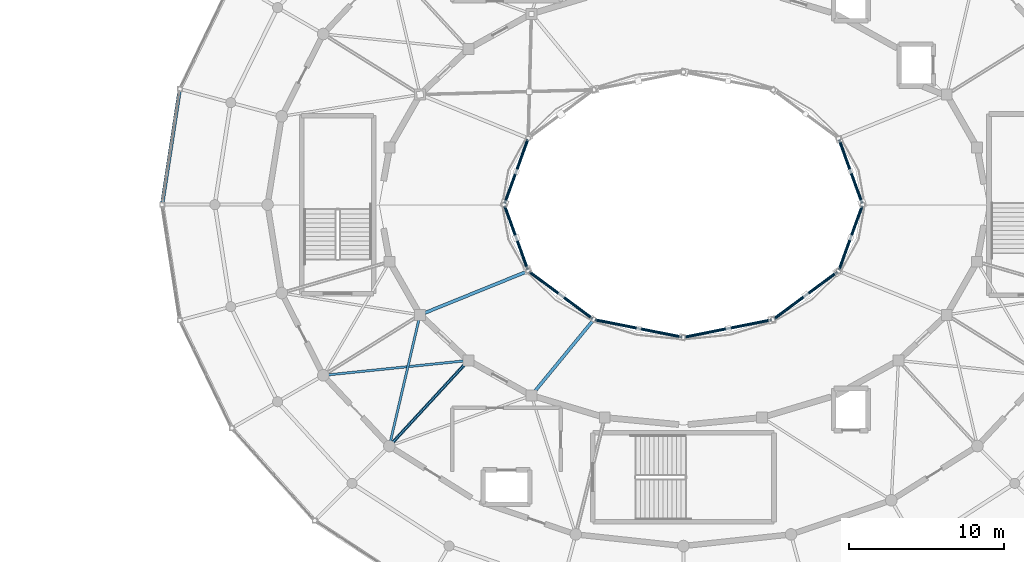
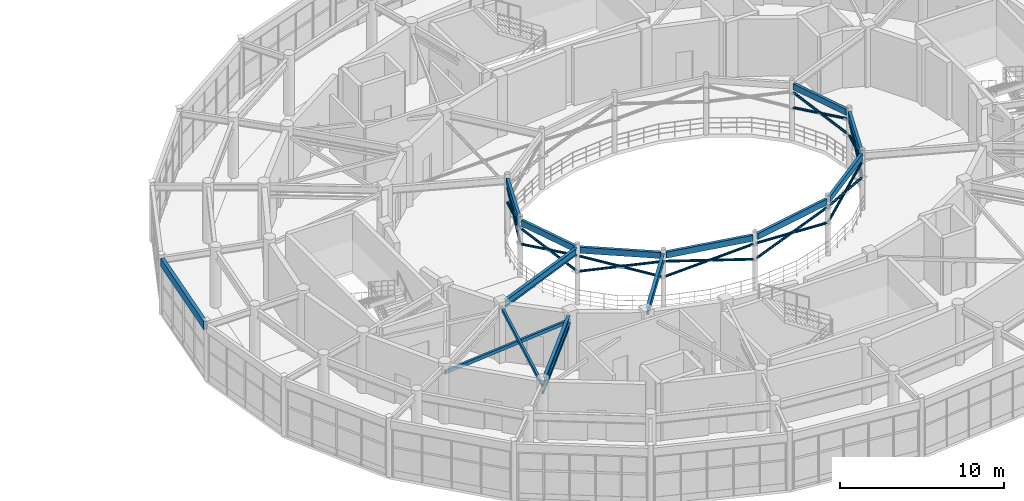
# One storey, part 19 of 60: 27 members, 12 beams.
"""IFC4 building model written with IfcOpenShell, lengths in metres."""

from ifc_helpers import new_model, si_unit, direction, frame, origin, origin_2d, place, context, subcontext, project, spatial, rectangle, hollow_rectangle, hollow_circle, i_section, extrude, material, material_profile, profile_set, type_object, element, save


model = new_model("IFC4")

# Units and contexts
model_context = context("Model", 3, precision=1e-05, world=origin(), true_north=direction((0.0, 1.0)))
body_context = subcontext(model_context, "Body", "Model", "MODEL_VIEW")
ifc_project = project(units=[si_unit("LENGTHUNIT", "METRE"), si_unit("AREAUNIT", "SQUARE_METRE"), si_unit("VOLUMEUNIT", "CUBIC_METRE"), si_unit("PLANEANGLEUNIT", "RADIAN"), si_unit("MASSUNIT", "GRAM", prefix="KILO")], contexts=[model_context])

# Site, building, storey
site_placement = place(None, origin())
site = spatial("IfcSite", under=ifc_project, at=site_placement, CompositionType="ELEMENT")
building_placement = place(site_placement, origin())
building = spatial("IfcBuilding", under=site, at=building_placement, Name="Cinderbank Siding Concert Hall", CompositionType="ELEMENT")
storey_placement = place(building_placement, frame((0.0, 0.0, 14.699951171875)))
storey = spatial("IfcBuildingStorey", under=building, at=storey_placement, Name="L04", CompositionType="ELEMENT", Elevation=14.699951171875)

# Beams
ifc_material_1 = material(Name="Structural steel AS/NZS 3679.1 Grade 350 (340 MPa)", Category="steel")
ifc_material_profile_1 = material_profile(ifc_material_1, i_section(OverallWidth=0.208984375, OverallDepth=0.5283203125, WebThickness=0.009521484375, FlangeThickness=0.01318359375, at=origin_2d()), Name="530UB82.0", Category="LoadBearing")
ifc_profile_set_1 = profile_set([ifc_material_profile_1], Name="Structural steel AS/NZS 3679.1 Grade 350 (340 MPa)")
beam_type_1 = type_object("IfcBeamType", Name="BM-UB530 530UB82.0", PredefinedType="BEAM", material=ifc_profile_set_1)
beam_1_placement = place(storey_placement, frame((111.854736328125, 39.667236328125, 3.988037109375), z_axis=(-0.926787327391, -0.375586541008, 0.0), x_axis=(0.375586541008, -0.926787327391, 0.0)))
element("IfcBeam", 1, at=beam_1_placement, inside=storey, type_object=beam_type_1, Name="L04 Beam BM-UB530 #201", PredefinedType="BEAM", context=body_context, shape_type="SweptSolid", body=[
    extrude(i_section(OverallWidth=0.208984375, OverallDepth=0.5283203125, WebThickness=0.009521484375, FlangeThickness=0.01318359375, at=origin_2d()), origin(), (0.0, 0.0, 1.0), 7.026123046875),
])
beam_2_placement = place(storey_placement, frame((116.127197265625, 36.4765625, 3.988037109375), z_axis=(-0.635282201884, -0.772280081298, 0.0), x_axis=(0.772280081298, -0.635282201884, 0.0)))
element("IfcBeam", 2, at=beam_2_placement, inside=storey, type_object=beam_type_1, Name="L04 Beam BM-UB530 #203", PredefinedType="BEAM", context=body_context, shape_type="SweptSolid", body=[
    extrude(i_section(OverallWidth=0.208984375, OverallDepth=0.5283203125, WebThickness=0.009521484375, FlangeThickness=0.01318359375, at=origin_2d()), origin(), (0.0, 0.0, 1.0), 5.83984375),
])
ifc_material_profile_2 = material_profile(ifc_material_1, i_section(OverallWidth=0.208984375, OverallDepth=0.532958984375, WebThickness=0.01025390625, FlangeThickness=0.015625, at=origin_2d()), Name="530UB92.4", Category="LoadBearing")
ifc_profile_set_2 = profile_set([ifc_material_profile_2], Name="Structural steel AS/NZS 3679.1 Grade 350 (340 MPa)")
beam_type_2 = type_object("IfcBeamType", Name="BM-UB530H 530UB92.4", PredefinedType="BEAM", material=ifc_profile_set_2)
beam_3_placement = place(storey_placement, frame((107.90869140625, 33.707763671875, 3.985595703125), z_axis=(-0.67829203735, -0.734792427879, 0.0), x_axis=(0.734792427879, -0.67829203735, 0.0)))
element("IfcBeam", 3, at=beam_3_placement, inside=storey, type_object=beam_type_2, Name="L04 Beam BM-UB530H #706", PredefinedType="BEAM", context=body_context, shape_type="SweptSolid", body=[
    extrude(i_section(OverallWidth=0.208984375, OverallDepth=0.532958984375, WebThickness=0.01025390625, FlangeThickness=0.015625, at=origin_2d()), origin(), (0.0, 0.0, 1.0), 6.797119140625),
])

# Members
ifc_material_2 = material(Name="Structural steel hollow section AS/NZS 1163 Grade C350L0 (350 MPa)", Category="steel")
ifc_material_profile_3 = material_profile(ifc_material_2, hollow_circle(Radius=0.084228515625, WallThickness=0.007080078125, at=origin_2d()), Name="168.3x7.1CHS", Category="LoadBearing")
ifc_profile_set_3 = profile_set([ifc_material_profile_3], Name="Structural steel hollow section AS/NZS 1163 Grade C350L0 (350 MPa)")
member_type_1 = type_object("IfcMemberType", Name="BR-CHS168 168.3x7.1CHS Roof Truss", PredefinedType="BRACE", material=ifc_profile_set_3)
member_1_placement = place(storey_placement, frame((133.522705078125, 44.0751953125, 2.400146484375), z_axis=(-0.329411541196, 0.910070086175, 0.251516350914), x_axis=(-0.940297792876, -0.340352847368, 0.0)))
element("IfcMember", 4, at=member_1_placement, inside=storey, type_object=member_type_1, Name="L04 Diagonal Brace BR-CHS168 #RKCR-BR-CHS168-L04-2098", PredefinedType="BRACE", context=body_context, shape_type="SweptSolid", body=[
    extrude(hollow_circle(Radius=0.084228515625, WallThickness=0.007080078125, at=origin_2d()), origin(), (0.0, 0.0, 1.0), 4.531982421875),
])
for number, where, z_axis, x_axis, name in (
    (5, (132.02978515625, 48.19970703125, 2.400146484375), (0.329486189755, -0.910045628123, 0.25150706848), (0.94027017902, 0.340429126905, 0.0), "L04 Diagonal Brace BR-CHS168 #RKCR-BR-CHS168-L04-2099"),
    (6, (132.78125, 46.123779296875, 2.973876953125), (0.329389503602, -0.91007814446, 0.25151605494), (0.94030604409, 0.340330050757, 0.0), "L04 Diagonal Brace BR-CHS168 #RKCR-BR-CHS168-L04-2099-S203"),
):
    element("IfcMember", number, at=place(storey_placement, frame(where, z_axis=z_axis, x_axis=x_axis)), inside=storey, type_object=member_type_1, Name=name, PredefinedType="BRACE", context=body_context, shape_type="SweptSolid", body=[
        extrude(hollow_circle(Radius=0.084228515625, WallThickness=0.007080078125, at=origin_2d()), origin(), (0.0, 0.0, 1.0), 2.2509765625),
    ])
member_2_placement = place(storey_placement, frame((111.97021484375, 48.19970703125, 2.400146484375), z_axis=(-0.329411541196, -0.910070086175, 0.251516350914), x_axis=(0.940297792876, -0.340352847368, 0.0)))
element("IfcMember", 7, at=member_2_placement, inside=storey, type_object=member_type_1, Name="L04 Diagonal Brace BR-CHS168 #RKCR-BR-CHS168-L04-2110", PredefinedType="BRACE", context=body_context, shape_type="SweptSolid", body=[
    extrude(hollow_circle(Radius=0.084228515625, WallThickness=0.007080078125, at=origin_2d()), origin(), (0.0, 0.0, 1.0), 4.531982421875),
])
for number, where, z_axis, x_axis, name in (
    (8, (110.477294921875, 44.0751953125, 2.400146484375), (0.329389503602, 0.91007814446, 0.25151605494), (-0.94030604409, 0.340330050757, 0.0), "L04 Diagonal Brace BR-CHS168 #RKCR-BR-CHS168-L04-2111"),
    (9, (111.228515625, 46.151123046875, 2.973876953125), (0.329486189755, 0.910045628123, 0.25150706848), (-0.94027017902, 0.340429126905, 0.0), "L04 Diagonal Brace BR-CHS168 #RKCR-BR-CHS168-L04-2111-S209"),
):
    element("IfcMember", number, at=place(storey_placement, frame(where, z_axis=z_axis, x_axis=x_axis)), inside=storey, type_object=member_type_1, Name=name, PredefinedType="BRACE", context=body_context, shape_type="SweptSolid", body=[
        extrude(hollow_circle(Radius=0.084228515625, WallThickness=0.007080078125, at=origin_2d()), origin(), (0.0, 0.0, 1.0), 2.2509765625),
    ])
member_3_placement = place(storey_placement, frame((110.477294921875, 43.9248046875, 2.400146484375), z_axis=(0.329411541196, -0.910070086175, 0.251516350914), x_axis=(0.940297792876, 0.340352847368, 0.0)))
element("IfcMember", 10, at=member_3_placement, inside=storey, type_object=member_type_1, Name="L04 Diagonal Brace BR-CHS168 #RKCR-BR-CHS168-L04-2112", PredefinedType="BRACE", context=body_context, shape_type="SweptSolid", body=[
    extrude(hollow_circle(Radius=0.084228515625, WallThickness=0.007080078125, at=origin_2d()), origin(), (0.0, 0.0, 1.0), 4.531982421875),
])
for number, where, z_axis, x_axis, name in (
    (11, (111.97021484375, 39.80029296875, 2.400146484375), (-0.329486189755, 0.910045628123, 0.25150706848), (-0.94027017902, -0.340429126905, 0.0), "L04 Diagonal Brace BR-CHS168 #RKCR-BR-CHS168-L04-2113"),
    (12, (111.21875, 41.876220703125, 2.973876953125), (-0.329389503602, 0.91007814446, 0.25151605494), (-0.94030604409, -0.340330050757, 0.0), "L04 Diagonal Brace BR-CHS168 #RKCR-BR-CHS168-L04-2113-S210"),
):
    element("IfcMember", number, at=place(storey_placement, frame(where, z_axis=z_axis, x_axis=x_axis)), inside=storey, type_object=member_type_1, Name=name, PredefinedType="BRACE", context=body_context, shape_type="SweptSolid", body=[
        extrude(hollow_circle(Radius=0.084228515625, WallThickness=0.007080078125, at=origin_2d()), origin(), (0.0, 0.0, 1.0), 2.2509765625),
    ])
member_4_placement = place(storey_placement, frame((112.061767578125, 39.677490234375, 2.400146484375), z_axis=(0.784369910815, -0.580673871078, 0.218132295765), x_axis=(0.595001989932, 0.803724226322, 0.0)))
element("IfcMember", 13, at=member_4_placement, inside=storey, type_object=member_type_1, Name="L04 Diagonal Brace BR-CHS168 #RKCR-BR-CHS168-L04-2114", PredefinedType="BRACE", context=body_context, shape_type="SweptSolid", body=[
    extrude(hollow_circle(Radius=0.084228515625, WallThickness=0.007080078125, at=origin_2d()), origin(), (0.0, 0.0, 1.0), 5.2255859375),
])
for number, where, z_axis, x_axis, name in (
    (14, (116.16064453125, 36.64306640625, 2.400146484375), (-0.784352777564, 0.580699234671, 0.218126383504), (-0.595027173666, -0.803705582038, 0.0), "L04 Diagonal Brace BR-CHS168 #RKCR-BR-CHS168-L04-2115"),
    (15, (114.099365234375, 38.1689453125, 2.973388671875), (-0.784352777564, 0.580699234671, 0.218126383504), (-0.595027173666, -0.803705582038, 0.0), "L04 Diagonal Brace BR-CHS168 #RKCR-BR-CHS168-L04-2115-S211"),
):
    element("IfcMember", number, at=place(storey_placement, frame(where, z_axis=z_axis, x_axis=x_axis)), inside=storey, type_object=member_type_1, Name=name, PredefinedType="BRACE", context=body_context, shape_type="SweptSolid", body=[
        extrude(hollow_circle(Radius=0.084228515625, WallThickness=0.007080078125, at=origin_2d()), origin(), (0.0, 0.0, 1.0), 2.597900390625),
    ])
member_5_placement = place(storey_placement, frame((116.303466796875, 36.579833984375, 2.400146484375), z_axis=(0.962024071577, -0.190807781612, 0.195197531189), x_axis=(0.194550158365, 0.980892571019, 0.0)))
element("IfcMember", 16, at=member_5_placement, inside=storey, type_object=member_type_1, Name="L04 Diagonal Brace BR-CHS168 #RKCR-BR-CHS168-L04-2116", PredefinedType="BRACE", context=body_context, shape_type="SweptSolid", body=[
    extrude(hollow_circle(Radius=0.084228515625, WallThickness=0.007080078125, at=origin_2d()), origin(), (0.0, 0.0, 1.0), 5.839599609375),
])
member_6_placement = place(storey_placement, frame((121.92138671875, 35.465576171875, 2.400146484375), z_axis=(-0.962018451096, 0.1908740086, 0.195160479071), x_axis=(-0.194616221116, -0.980879465826, 0.0)))
element("IfcMember", 17, at=member_6_placement, inside=storey, type_object=member_type_1, Name="L04 Diagonal Brace BR-CHS168 #RKCR-BR-CHS168-L04-2117", PredefinedType="BRACE", context=body_context, shape_type="SweptSolid", body=[
    extrude(hollow_circle(Radius=0.084228515625, WallThickness=0.007080078125, at=origin_2d()), origin(), (0.0, 0.0, 1.0), 2.90478515625),
])
member_7_placement = place(storey_placement, frame((119.09814453125, 36.025634765625, 2.972900390625), z_axis=(-0.96202436034, 0.190774464748, 0.195228670313), x_axis=(-0.194517417313, -0.980899064309, 0.0)))
element("IfcMember", 18, at=member_7_placement, inside=storey, type_object=member_type_1, Name="L04 Diagonal Brace BR-CHS168 #RKCR-BR-CHS168-L04-2117-S212", PredefinedType="BRACE", context=body_context, shape_type="SweptSolid", body=[
    extrude(hollow_circle(Radius=0.084228515625, WallThickness=0.007080078125, at=origin_2d()), origin(), (0.0, 0.0, 1.0), 2.905029296875),
])
member_8_placement = place(storey_placement, frame((122.07861328125, 35.465576171875, 2.400146484375), z_axis=(0.962024071577, 0.190807781612, 0.195197531189), x_axis=(-0.194550158365, 0.980892571019, 0.0)))
element("IfcMember", 19, at=member_8_placement, inside=storey, type_object=member_type_1, Name="L04 Diagonal Brace BR-CHS168 #RKCR-BR-CHS168-L04-2118", PredefinedType="BRACE", context=body_context, shape_type="SweptSolid", body=[
    extrude(hollow_circle(Radius=0.084228515625, WallThickness=0.007080078125, at=origin_2d()), origin(), (0.0, 0.0, 1.0), 5.839599609375),
])
member_9_placement = place(storey_placement, frame((127.696533203125, 36.579833984375, 2.400146484375), z_axis=(-0.962040141585, -0.190777594252, 0.195147829891), x_axis=(0.194517417313, -0.980899064309, 0.0)))
element("IfcMember", 20, at=member_9_placement, inside=storey, type_object=member_type_1, Name="L04 Diagonal Brace BR-CHS168 #RKCR-BR-CHS168-L04-2119", PredefinedType="BRACE", context=body_context, shape_type="SweptSolid", body=[
    extrude(hollow_circle(Radius=0.084228515625, WallThickness=0.007080078125, at=origin_2d()), origin(), (0.0, 0.0, 1.0), 2.905029296875),
])
member_10_placement = place(storey_placement, frame((124.873046875, 36.02001953125, 2.972900390625), z_axis=(-0.962002668162, -0.190870877109, 0.195241324318), x_axis=(0.194616221116, -0.980879465826, 0.0)))
element("IfcMember", 21, at=member_10_placement, inside=storey, type_object=member_type_1, Name="L04 Diagonal Brace BR-CHS168 #RKCR-BR-CHS168-L04-2119-S213", PredefinedType="BRACE", context=body_context, shape_type="SweptSolid", body=[
    extrude(hollow_circle(Radius=0.084228515625, WallThickness=0.007080078125, at=origin_2d()), origin(), (0.0, 0.0, 1.0), 2.90478515625),
])
member_11_placement = place(storey_placement, frame((127.83935546875, 36.64306640625, 2.400146484375), z_axis=(0.784369910815, 0.580673871078, 0.218132295765), x_axis=(-0.595001989932, 0.803724226322, 0.0)))
element("IfcMember", 22, at=member_11_placement, inside=storey, type_object=member_type_1, Name="L04 Diagonal Brace BR-CHS168 #RKCR-BR-CHS168-L04-2120", PredefinedType="BRACE", context=body_context, shape_type="SweptSolid", body=[
    extrude(hollow_circle(Radius=0.084228515625, WallThickness=0.007080078125, at=origin_2d()), origin(), (0.0, 0.0, 1.0), 5.2255859375),
])
for number, where, z_axis, x_axis, name in (
    (23, (131.938232421875, 39.677490234375, 2.400146484375), (-0.784352777564, -0.580699234671, 0.218126383504), (0.595027173666, -0.803705582038, 0.0), "L04 Diagonal Brace BR-CHS168 #RKCR-BR-CHS168-L04-2121"),
    (24, (129.876953125, 38.151611328125, 2.973388671875), (-0.784352777564, -0.580699234671, 0.218126383504), (0.595027173666, -0.803705582038, 0.0), "L04 Diagonal Brace BR-CHS168 #RKCR-BR-CHS168-L04-2121-S214"),
):
    element("IfcMember", number, at=place(storey_placement, frame(where, z_axis=z_axis, x_axis=x_axis)), inside=storey, type_object=member_type_1, Name=name, PredefinedType="BRACE", context=body_context, shape_type="SweptSolid", body=[
        extrude(hollow_circle(Radius=0.084228515625, WallThickness=0.007080078125, at=origin_2d()), origin(), (0.0, 0.0, 1.0), 2.597900390625),
    ])
member_12_placement = place(storey_placement, frame((132.02978515625, 39.80029296875, 2.400146484375), z_axis=(0.329411541196, 0.910070086175, 0.251516350914), x_axis=(-0.940297792876, 0.340352847368, 0.0)))
element("IfcMember", 25, at=member_12_placement, inside=storey, type_object=member_type_1, Name="L04 Diagonal Brace BR-CHS168 #RKCR-BR-CHS168-L04-2122", PredefinedType="BRACE", context=body_context, shape_type="SweptSolid", body=[
    extrude(hollow_circle(Radius=0.084228515625, WallThickness=0.007080078125, at=origin_2d()), origin(), (0.0, 0.0, 1.0), 4.531982421875),
])
for number, where, z_axis, x_axis, name in (
    (26, (133.522705078125, 43.9248046875, 2.400146484375), (-0.329389503602, -0.91007814446, 0.25151605494), (0.94030604409, -0.340330050757, 0.0), "L04 Diagonal Brace BR-CHS168 #RKCR-BR-CHS168-L04-2123"),
    (27, (132.771484375, 41.848876953125, 2.973876953125), (-0.329486189755, -0.910045628123, 0.25150706848), (0.94027017902, -0.340429126905, 0.0), "L04 Diagonal Brace BR-CHS168 #RKCR-BR-CHS168-L04-2123-S215"),
):
    element("IfcMember", number, at=place(storey_placement, frame(where, z_axis=z_axis, x_axis=x_axis)), inside=storey, type_object=member_type_1, Name=name, PredefinedType="BRACE", context=body_context, shape_type="SweptSolid", body=[
        extrude(hollow_circle(Radius=0.084228515625, WallThickness=0.007080078125, at=origin_2d()), origin(), (0.0, 0.0, 1.0), 2.2509765625),
    ])
ifc_material_profile_4 = material_profile(ifc_material_2, hollow_rectangle(XDim=0.10009765625, YDim=0.199951171875, WallThickness=0.008056640625, at=origin_2d()), Name="200x100x8.0RHS", Category="LoadBearing")
ifc_profile_set_4 = profile_set([ifc_material_profile_4], Name="Structural steel hollow section AS/NZS 1163 Grade C350L0 (350 MPa)")
member_type_2 = type_object("IfcMemberType", Name="PR-RHS200 200x100x8.0RHS Roof Truss", PredefinedType="PURLIN", material=ifc_profile_set_4)
member_13_placement = place(storey_placement, frame((108.140625, 33.958984375, 3.340087890625), z_axis=(-0.678276049894, -0.734807185689, 0.0), x_axis=(0.734807185689, -0.678276049894, 0.0)))
element("IfcMember", 28, at=member_13_placement, inside=storey, type_object=member_type_2, Name="L04 Roof Truss Member PR-RHS200 #2288", PredefinedType="PURLIN", context=body_context, shape_type="SweptSolid", body=[
    extrude(hollow_rectangle(XDim=0.10009765625, YDim=0.199951171875, WallThickness=0.008056640625, at=origin_2d()), origin(), (0.0, 0.0, 1.0), 7.505859375),
])

# Beams
ifc_material_3 = material(Name="Spotted gum glulam timber GL18 (42 MPa)", Category="wood")
ifc_material_profile_5 = material_profile(ifc_material_3, rectangle(XDim=0.18994140625, YDim=0.449951171875, at=origin_2d()), Name="GL18-190x450", Category="LoadBearing")
ifc_profile_set_5 = profile_set([ifc_material_profile_5], Name="Spotted gum glulam timber GL18 (42 MPa)")
beam_type_3 = type_object("IfcBeamType", Name="SP-GL450 GL18-190x450", PredefinedType="SPANDREL", material=ifc_profile_set_5)
for number, where, z_axis, x_axis, name in (
    (29, (133.49755859375, 44.144775390625, 4.027099609375), (-0.340369084131, 0.940291915613, 0.0), (-0.940291915613, -0.340369084131, 0.0), "L04 Beam SP-GL450 #190"),
    (30, (111.945068359375, 48.130126953125, 4.027099609375), (-0.340369084131, -0.940291915613, 0.0), (0.940291915613, -0.340369084131, 0.0), "L04 Beam SP-GL450 #197"),
    (31, (110.50244140625, 43.855224609375, 4.027099609375), (0.340369084131, -0.940291915613, 0.0), (0.940291915613, 0.340369084131, 0.0), "L04 Beam SP-GL450 #199"),
):
    element("IfcBeam", number, at=place(storey_placement, frame(where, z_axis=z_axis, x_axis=x_axis)), inside=storey, type_object=beam_type_3, Name=name, PredefinedType="SPANDREL", context=body_context, shape_type="SweptSolid", body=[
        extrude(rectangle(XDim=0.18994140625, YDim=0.449951171875, at=origin_2d()), origin(), (0.0, 0.0, 1.0), 4.238525390625),
    ])
beam_4_placement = place(storey_placement, frame((112.12109375, 39.63330078125, 4.027099609375), z_axis=(0.803752781555, -0.594963415801, 0.0), x_axis=(0.594963415801, 0.803752781555, 0.0)))
element("IfcBeam", 32, at=beam_4_placement, inside=storey, type_object=beam_type_3, Name="L04 Beam SP-GL450 #200", PredefinedType="SPANDREL", context=body_context, shape_type="SweptSolid", body=[
    extrude(rectangle(XDim=0.18994140625, YDim=0.449951171875, at=origin_2d()), origin(), (0.0, 0.0, 1.0), 4.9521484375),
])
for number, where, z_axis, x_axis, name in (
    (33, (116.3759765625, 36.5654296875, 4.027099609375), (0.980895780778, -0.194533974545, 0.0), (0.194533974545, 0.980895780778, 0.0), "L04 Beam SP-GL450 #202"),
    (34, (122.15087890625, 35.47998046875, 4.027099609375), (0.980895780778, 0.194533974545, 0.0), (-0.194533974545, 0.980895780778, 0.0), "L04 Beam SP-GL450 #204"),
):
    element("IfcBeam", number, at=place(storey_placement, frame(where, z_axis=z_axis, x_axis=x_axis)), inside=storey, type_object=beam_type_3, Name=name, PredefinedType="SPANDREL", context=body_context, shape_type="SweptSolid", body=[
        extrude(rectangle(XDim=0.18994140625, YDim=0.449951171875, at=origin_2d()), origin(), (0.0, 0.0, 1.0), 5.579833984375),
    ])
beam_5_placement = place(storey_placement, frame((127.898681640625, 36.68701171875, 4.027099609375), z_axis=(0.803752781555, 0.594963415801, 0.0), x_axis=(-0.594963415801, 0.803752781555, 0.0)))
element("IfcBeam", 35, at=beam_5_placement, inside=storey, type_object=beam_type_3, Name="L04 Beam SP-GL450 #205", PredefinedType="SPANDREL", context=body_context, shape_type="SweptSolid", body=[
    extrude(rectangle(XDim=0.18994140625, YDim=0.449951171875, at=origin_2d()), origin(), (0.0, 0.0, 1.0), 4.9521484375),
])
beam_6_placement = place(storey_placement, frame((132.054931640625, 39.869873046875, 4.027099609375), z_axis=(0.340369084131, 0.940291915613, 0.0), x_axis=(-0.940291915613, 0.340369084131, 0.0)))
element("IfcBeam", 36, at=beam_6_placement, inside=storey, type_object=beam_type_3, Name="L04 Beam SP-GL450 #206", PredefinedType="SPANDREL", context=body_context, shape_type="SweptSolid", body=[
    extrude(rectangle(XDim=0.18994140625, YDim=0.449951171875, at=origin_2d()), origin(), (0.0, 0.0, 1.0), 4.238525390625),
])
ifc_material_profile_6 = material_profile(ifc_material_3, rectangle(XDim=0.239990234375, YDim=0.60009765625, at=origin_2d()), Name="GL18-240x600", Category="LoadBearing")
ifc_profile_set_6 = profile_set([ifc_material_profile_6], Name="Spotted gum glulam timber GL18 (42 MPa)")
beam_type_4 = type_object("IfcBeamType", Name="SP-GL600 GL18-240x600", PredefinedType="SPANDREL", material=ifc_profile_set_6)
beam_7_placement = place(storey_placement, frame((89.521484375, 51.3017578125, 3.93212890625), z_axis=(-0.151813701486, -0.988409125839, 0.0), x_axis=(0.988409125839, -0.151813701486, 0.0)))
element("IfcBeam", 37, at=beam_7_placement, inside=storey, type_object=beam_type_4, Name="L04 Beam SP-GL600 #687", PredefinedType="SPANDREL", context=body_context, shape_type="SweptSolid", body=[
    extrude(rectangle(XDim=0.239990234375, YDim=0.60009765625, at=origin_2d()), origin(), (0.0, 0.0, 1.0), 7.2333984375),
])

# Members
ifc_material_profile_7 = material_profile(ifc_material_2, hollow_rectangle(XDim=0.14990234375, YDim=0.25, WallThickness=0.009033203125, at=origin_2d()), Name="250x150x9.0RHS", Category="LoadBearing")
ifc_profile_set_7 = profile_set([ifc_material_profile_7], Name="Structural steel hollow section AS/NZS 1163 Grade C350L0 (350 MPa)")
member_type_3 = type_object("IfcMemberType", Name="TR-RHS250 250x150x9.0RHS Roof Truss", PredefinedType="RAFTER", material=ifc_profile_set_7)
member_14_placement = place(storey_placement, frame((105.02587890625, 36.89990234375, 3.880126953125), z_axis=(-0.227577092084, -0.973760066525, 0.0), x_axis=(0.973760066525, -0.227577092084, 0.0)))
element("IfcMember", 38, at=member_14_placement, inside=storey, type_object=member_type_3, Name="L04 Roof Truss Member TR-RHS250 #2284", PredefinedType="RAFTER", context=body_context, shape_type="SweptSolid", body=[
    extrude(hollow_rectangle(XDim=0.14990234375, YDim=0.25, WallThickness=0.009033203125, at=origin_2d()), origin(), (0.0, 0.0, 1.0), 8.68408203125),
])
member_15_placement = place(storey_placement, frame((108.140625, 33.958984375, 3.60009765625), z_axis=(-0.994781438611, -0.102028865499, 0.0), x_axis=(0.102028865499, -0.994781438611, 0.0)))
element("IfcMember", 39, at=member_15_placement, inside=storey, type_object=member_type_3, Name="L04 Roof Truss Member TR-RHS250 #2285", PredefinedType="RAFTER", context=body_context, shape_type="SweptSolid", body=[
    extrude(hollow_rectangle(XDim=0.14990234375, YDim=0.25, WallThickness=0.009033203125, at=origin_2d()), origin(), (0.0, 0.0, 1.0), 9.399169921875),
])

save(model, "model.ifc")
